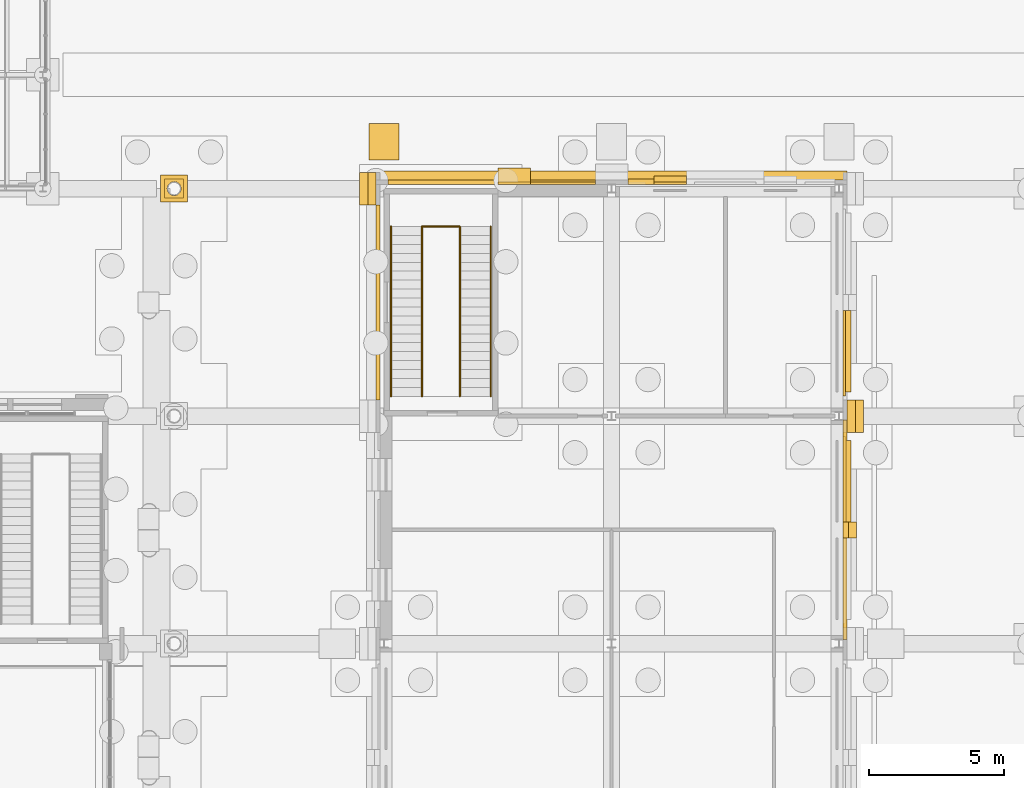
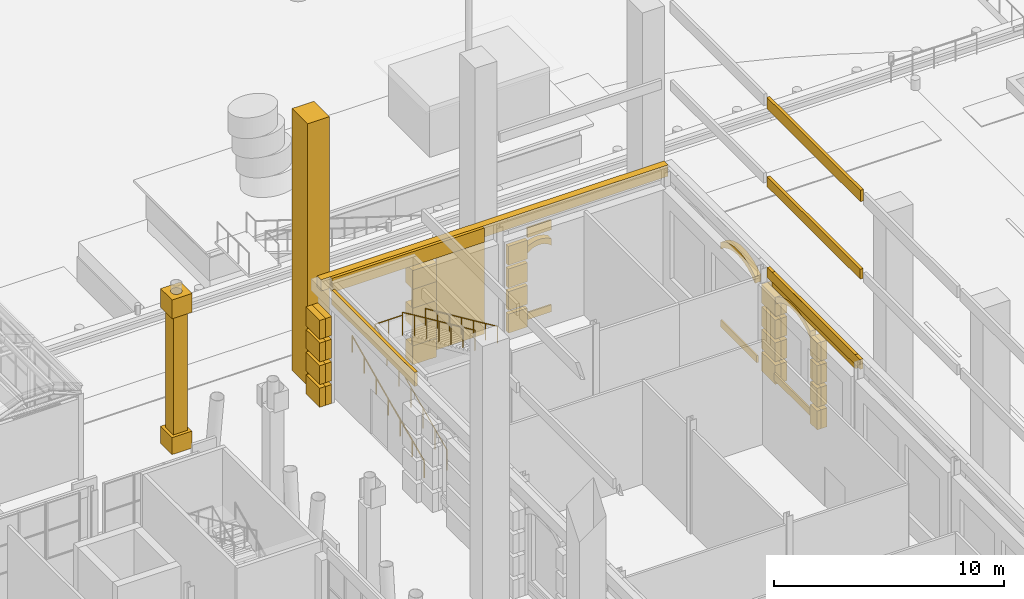
# One storey, part 155 of 222: 52 coverings, 5 railings.
"""IFC4 building model written with IfcOpenShell, lengths in metres."""

from ifc_helpers import new_model, si_unit, direction, frame, origin, origin_2d, place, context, subcontext, project, spatial, polyline, rectangle, circle, outline, extrude, material, layer, layer_set, type_object, element, save


model = new_model("IFC4")

# Units and contexts
model_context = context("Model", 3, precision=1e-05, world=origin(), true_north=direction((0.0, 1.0)))
body_context = subcontext(model_context, "Body", "Model", "MODEL_VIEW")
ifc_project = project(units=[si_unit("LENGTHUNIT", "METRE"), si_unit("AREAUNIT", "SQUARE_METRE"), si_unit("VOLUMEUNIT", "CUBIC_METRE"), si_unit("PLANEANGLEUNIT", "RADIAN"), si_unit("MASSUNIT", "GRAM", prefix="KILO")], contexts=[model_context])

# Site, building, storey
site_placement = place(None, origin())
site = spatial("IfcSite", under=ifc_project, at=site_placement, CompositionType="ELEMENT")
building_placement = place(site_placement, origin())
building = spatial("IfcBuilding", under=site, at=building_placement, Name="Sava Quay Ferry Terminal", CompositionType="ELEMENT")
storey_placement = place(building_placement, origin())
storey = spatial("IfcBuildingStorey", under=building, at=storey_placement, Name="L00", CompositionType="ELEMENT", Elevation=0.0)

# Coverings
ifc_material_1 = material(Name="Limestone Mutalj", Category="masonry")
ifc_layer_1 = layer(ifc_material_1, 0.300048828125)
ifc_layer_set_1 = layer_set([ifc_layer_1], Name="Limestone Mutalj")
covering_type_1 = type_object("IfcCoveringType", Name="Arch band 280", PredefinedType="MOLDING", material=ifc_layer_set_1)
covering_1_placement = place(storey_placement, frame((109.64990234375, 96.89990234375, 4.5), z_axis=(1.0, 0.0, 0.0), x_axis=(0.0, 0.782171011383, 0.623063808091)))
element("IfcCovering", 1, at=covering_1_placement, inside=storey, type_object=covering_type_1, Name="Arch band", PredefinedType="MOLDING", context=body_context, shape_type="SweptSolid", body=[
    extrude(outline(polyline([(0.0, 0.0), (0.38361026394291897, 0.0), (0.7217380868167081, -0.05709695615317717), (1.025335762122964, -0.1575417686500708), (1.2995752062374406, -0.29484180702510226), (1.5471556480034832, -0.4652167214188082), (1.768763237235288, -0.6685888227670815), (1.9639027838382344, -0.9051879153215514), (2.1296840992494017, -1.178642233754159), (2.260935267093035, -1.4954444085304834), (2.3465130341479634, -1.8691914242724625), (2.5760548521189226, -1.5810332074325149), (2.4650738487477915, -1.2391764648597015), (2.3190675077145073, -0.9408973828822342), (2.144615626614576, -0.6783277684654494), (1.9447605091984421, -0.4476484272178306), (1.7214796529038934, -0.24637688278489167), (1.4755724782005948, -0.07390141147585139), (1.2060486048993058, 0.06931837820603115), (0.9111214952818136, 0.18064789471874781), (0.5877488455976752, 0.2562679436707819), (0.22954181797095916, 0.2881582168399477), (0.0, 0.0)])), origin(), (0.0, 0.0, -1.0), 0.300048828125),
])
covering_2_placement = place(storey_placement, frame((109.64990234375, 101.699951171875, 4.5), z_axis=(1.0, 0.0, 0.0), x_axis=(0.0, 0.782171011383, 0.623063808091)))
element("IfcCovering", 2, at=covering_2_placement, inside=storey, type_object=covering_type_1, Name="Arch band", PredefinedType="MOLDING", context=body_context, shape_type="SweptSolid", body=[
    extrude(outline(polyline([(0.0, 0.0), (0.38361026394291897, 0.0), (0.7217380868167081, -0.05709695615317717), (1.025335762122964, -0.1575417686500708), (1.2993842465178647, -0.29468969183758004), (1.5471556480034832, -0.4652167214188082), (1.768763237235288, -0.6685888227670815), (1.9639027838382344, -0.9051879153215514), (2.1296840992494017, -1.178642233754159), (2.2607443073734594, -1.4952922933429613), (2.3465130341479634, -1.8691914242724625), (2.5760548521189226, -1.5810332074325149), (2.4648828890282157, -1.2390243496721793), (2.3190675077145073, -0.9408973828822342), (2.144615626614576, -0.6783277684654494), (1.9447605091984421, -0.4476484272178306), (1.7214796529038934, -0.24637688278489167), (1.475381518481019, -0.07374929628832916), (1.2060486048993058, 0.06931837820603115), (0.9111214952818136, 0.18064789471874781), (0.5877488455976752, 0.2562679436707819), (0.22954181797095916, 0.2881582168399477), (0.0, 0.0)])), origin(), (0.0, 0.0, -1.0), 0.300048828125),
])
covering_3_placement = place(storey_placement, frame((102.362548828125, 109.360107421875, 3.89990234375), z_axis=(0.0, -1.0, 0.0), x_axis=(0.766042844353, 0.0, 0.642789515017)))
element("IfcCovering", 3, at=covering_3_placement, inside=storey, type_object=covering_type_1, Name="Arch band", PredefinedType="MOLDING", context=body_context, shape_type="SweptSolid", body=[
    extrude(outline(polyline([(0.0, 0.0), (0.1564834757725232, 0.0), (0.29290987034562144, -0.02428279209876255), (0.4140838634817109, -0.06636278232810475), (0.522890396081421, -0.12356147789515273), (0.6202108720586751, -0.19406883930165053), (0.706733197838947, -0.2778246842578833), (0.781769466996763, -0.374889195053566), (0.8444382756181996, -0.4870724111869544), (0.8918546828026273, -0.6170528254509224), (0.9192140087876302, -0.771316031813653), (1.14849024937354, -0.4980766285911245), (1.098846716569099, -0.3703705716175788), (1.0380911714997962, -0.2562870425513622), (0.9674188801474346, -0.15364195753662468), (0.8881454730732465, -0.0616270455684631), (0.8002107679875174, 0.020445599778596002), (0.7043026713157206, 0.09263616079426751), (0.5997332766323826, 0.15488445518883656), (0.48656276622721817, 0.20650257653682963), (0.3634755095389949, 0.24668225383334366), (0.2292762405859099, 0.27323940322252854), (0.0, 0.0)])), origin(), (0.0, 0.0, -1.0), 0.300048828125),
])
ifc_material_2 = material(Name="Limestone Mutalj", Category="masonry")
ifc_layer_2 = layer(ifc_material_2, 0.35009765625)
ifc_layer_set_2 = layer_set([ifc_layer_2], Name="Limestone Mutalj")
covering_type_2 = type_object("IfcCoveringType", Name="Base course 600", PredefinedType="MOLDING", material=ifc_layer_set_2)
covering_4_placement = place(storey_placement, frame((100.800048828125, 109.68505859375, 5.39990234375), z_axis=(0.0, 0.0, 1.0), x_axis=(1.0, 0.0, 0.0)))
element("IfcCovering", 4, at=covering_4_placement, inside=storey, type_object=covering_type_2, Name="Base course O N", PredefinedType="MOLDING", context=body_context, shape_type="SweptSolid", body=[
    extrude(rectangle(XDim=17.39990234375, YDim=0.35009765625, at=origin_2d()), origin(), (0.0, 0.0, 1.0), 0.60009765625),
])
ifc_material_3 = material(Name="Limestone Mutalj", Category="masonry")
ifc_layer_3 = layer(ifc_material_3, 0.60009765625)
ifc_layer_set_3 = layer_set([ifc_layer_3], Name="Limestone Mutalj")
covering_type_3 = type_object("IfcCoveringType", Name="Corner quoin block 1200", PredefinedType="CLADDING", material=ifc_layer_set_3)
for number, where, z_axis, x_axis, name in (
    (5, (97.199951171875, 109.659912109375, 0.0), (0.0, 0.0, 1.0), (1.0, 0.0, 0.0), "Corner quoin block"),
    (6, (97.199951171875, 109.659912109375, 2.0), (0.0, 0.0, 1.0), (1.0, 0.0, 0.0), "Corner quoin block"),
    (7, (97.199951171875, 109.659912109375, 4.0), (0.0, 0.0, 1.0), (1.0, 0.0, 0.0), "Corner quoin block"),
):
    element("IfcCovering", number, at=place(storey_placement, frame(where, z_axis=z_axis, x_axis=x_axis)), inside=storey, type_object=covering_type_3, Name=name, PredefinedType="CLADDING", context=body_context, shape_type="SweptSolid", body=[
        extrude(rectangle(XDim=1.199951171875, YDim=0.60009765625, at=origin_2d()), origin(), (0.0, 0.0, 1.0), 1.0),
    ])

# Railings
ifc_material_4 = material(Name="Steel S355", Category="steel")
railing_type_1 = type_object("IfcRailingType", Name="Guard 1100", PredefinedType="GUARDRAIL", material=ifc_material_4)
railing_1_placement = place(storey_placement, frame((93.800048828125, 101.530029296875, 0.14990234375)))
element("IfcRailing", 8, at=railing_1_placement, inside=storey, type_object=railing_type_1, Name="Guard at stair well ST-O3 L00", PredefinedType="GUARDRAIL", context=body_context, shape_type="SweptSolid", body=[
    extrude(circle(Radius=0.02392578125, at=origin_2d()), frame((0.0, 0.0, 1.076171875), z_axis=(0.0, 0.910361621584, 0.413813627068), x_axis=(-1.0, 0.0, 0.0)), (0.0, 0.0, 1.0), 6.887451171875),
    extrude(circle(Radius=0.02099609375, at=origin_2d()), origin(), (0.0, 0.0, 1.0), 1.052001953125),
    extrude(circle(Radius=0.02099609375, at=origin_2d()), frame((0.0, 1.044921875, 0.47509765625)), (0.0, 0.0, 1.0), 1.052001953125),
    extrude(circle(Radius=0.02099609375, at=origin_2d()), frame((0.0, 2.090087890625, 0.949951171875)), (0.0, 0.0, 1.0), 1.052001953125),
    extrude(circle(Radius=0.02099609375, at=origin_2d()), frame((0.0, 3.135009765625, 1.425048828125)), (0.0, 0.0, 1.0), 1.052001953125),
    extrude(circle(Radius=0.02099609375, at=origin_2d()), frame((0.0, 4.179931640625, 1.900146484375)), (0.0, 0.0, 1.0), 1.052001953125),
    extrude(circle(Radius=0.02099609375, at=origin_2d()), frame((0.0, 5.22509765625, 2.375)), (0.0, 0.0, 1.0), 1.052001953125),
    extrude(circle(Radius=0.02099609375, at=origin_2d()), frame((0.0, 6.27001953125, 2.85009765625)), (0.0, 0.0, 1.0), 1.052001953125),
])
railing_2_placement = place(storey_placement, frame((95.199951171875, 107.800048828125, 3.14990234375)))
element("IfcRailing", 9, at=railing_2_placement, inside=storey, type_object=railing_type_1, Name="Guard at stair well ST-O3 L00", PredefinedType="GUARDRAIL", context=body_context, shape_type="SweptSolid", body=[
    extrude(circle(Radius=0.02392578125, at=origin_2d()), frame((0.0, 0.0, 1.076171875), z_axis=(0.0, -0.910361621584, 0.413813627068), x_axis=(1.0, 0.0, 0.0)), (0.0, 0.0, 1.0), 6.887451171875),
    extrude(circle(Radius=0.02099609375, at=origin_2d()), origin(), (0.0, 0.0, 1.0), 1.052001953125),
    extrude(circle(Radius=0.02099609375, at=origin_2d()), frame((0.0, -1.044921875, 0.47509765625)), (0.0, 0.0, 1.0), 1.052001953125),
    extrude(circle(Radius=0.02099609375, at=origin_2d()), frame((0.0, -2.090087890625, 0.949951171875)), (0.0, 0.0, 1.0), 1.052001953125),
    extrude(circle(Radius=0.02099609375, at=origin_2d()), frame((0.0, -3.135009765625, 1.425048828125)), (0.0, 0.0, 1.0), 1.052001953125),
    extrude(circle(Radius=0.02099609375, at=origin_2d()), frame((0.0, -4.179931640625, 1.900146484375)), (0.0, 0.0, 1.0), 1.052001953125),
    extrude(circle(Radius=0.02099609375, at=origin_2d()), frame((0.0, -5.22509765625, 2.375)), (0.0, 0.0, 1.0), 1.052001953125),
    extrude(circle(Radius=0.02099609375, at=origin_2d()), frame((0.0, -6.27001953125, 2.85009765625)), (0.0, 0.0, 1.0), 1.052001953125),
])
railing_3_placement = place(storey_placement, frame((93.800048828125, 107.800048828125, 3.0)))
element("IfcRailing", 10, at=railing_3_placement, inside=storey, type_object=railing_type_1, Name="Guard at half landing ST-O3 L00", PredefinedType="GUARDRAIL", context=body_context, shape_type="SweptSolid", body=[
    extrude(circle(Radius=0.02392578125, at=origin_2d()), frame((0.0, 0.0, 1.076171875), z_axis=(1.0, 0.0, 0.0), x_axis=(0.0, 1.0, 0.0)), (0.0, 0.0, 1.0), 1.39990234375),
    extrude(circle(Radius=0.02099609375, at=origin_2d()), origin(), (0.0, 0.0, 1.0), 1.052001953125),
    extrude(circle(Radius=0.02099609375, at=origin_2d()), frame((0.699951171875, 0.0, 0.0)), (0.0, 0.0, 1.0), 1.052001953125),
    extrude(circle(Radius=0.02099609375, at=origin_2d()), frame((1.39990234375, 0.0, 0.0)), (0.0, 0.0, 1.0), 1.052001953125),
])

# Coverings
ifc_material_5 = material(Name="Limestone Mutalj", Category="masonry")
ifc_layer_4 = layer(ifc_material_5, 0.080078125)
ifc_layer_set_4 = layer_set([ifc_layer_4], Name="Limestone Mutalj")
covering_type_4 = type_object("IfcCoveringType", Name="Light stone cladding 80", PredefinedType="CLADDING", material=ifc_layer_set_4)
for number, where, z_axis, x_axis, name in (
    (11, (109.389892578125, 98.47509765625, 0.3798828125), (0.0, 0.0, 1.0), (1.0, 0.0, 0.0), "Light stone cladding"),
    (12, (109.389892578125, 103.125, 0.3798828125), (0.0, 0.0, 1.0), (1.0, 0.0, 0.0), "Light stone cladding"),
):
    element("IfcCovering", number, at=place(storey_placement, frame(where, z_axis=z_axis, x_axis=x_axis)), inside=storey, type_object=covering_type_4, Name=name, PredefinedType="CLADDING", context=body_context, shape_type="SweptSolid", body=[
        extrude(rectangle(XDim=0.080078125, YDim=3.14990234375, at=origin_2d()), origin(), (0.0, 0.0, 1.0), 0.3701171875),
    ])
for number, where, z_axis, x_axis, name in (
    (13, (97.199951171875, 109.39990234375, 1.0), (0.0, 0.0, 1.0), (1.0, 0.0, 0.0), "Light stone cladding"),
    (14, (97.199951171875, 109.39990234375, 3.0), (0.0, 0.0, 1.0), (1.0, 0.0, 0.0), "Light stone cladding"),
):
    element("IfcCovering", number, at=place(storey_placement, frame(where, z_axis=z_axis, x_axis=x_axis)), inside=storey, type_object=covering_type_4, Name=name, PredefinedType="CLADDING", context=body_context, shape_type="SweptSolid", body=[
        extrude(rectangle(XDim=1.199951171875, YDim=0.080078125, at=origin_2d()), origin(), (0.0, 0.0, 1.0), 1.0),
    ])
covering_5_placement = place(storey_placement, frame((99.0, 109.39990234375, 0.3798828125), z_axis=(0.0, 0.0, 1.0), x_axis=(1.0, 0.0, 0.0)))
element("IfcCovering", 15, at=covering_5_placement, inside=storey, type_object=covering_type_4, Name="Light stone cladding", PredefinedType="CLADDING", context=body_context, shape_type="SweptSolid", body=[
    extrude(rectangle(XDim=2.39990234375, YDim=0.080078125, at=origin_2d()), origin(), (0.0, 0.0, 1.0), 4.8701171875),
])
covering_6_placement = place(storey_placement, frame((102.96240234375, 109.39990234375, 0.3798828125), z_axis=(0.0, 0.0, 1.0), x_axis=(1.0, 0.0, 0.0)))
element("IfcCovering", 16, at=covering_6_placement, inside=storey, type_object=covering_type_4, Name="Light stone cladding", PredefinedType="CLADDING", context=body_context, shape_type="SweptSolid", body=[
    extrude(rectangle(XDim=1.199951171875, YDim=0.080078125, at=origin_2d()), origin(), (0.0, 0.0, 1.0), 0.3701171875),
])
covering_7_placement = place(storey_placement, frame((102.96240234375, 109.39990234375, 4.72998046875), z_axis=(0.0, 0.0, 1.0), x_axis=(1.0, 0.0, 0.0)))
element("IfcCovering", 17, at=covering_7_placement, inside=storey, type_object=covering_type_4, Name="Light stone cladding", PredefinedType="CLADDING", context=body_context, shape_type="SweptSolid", body=[
    extrude(rectangle(XDim=1.199951171875, YDim=0.080078125, at=origin_2d()), origin(), (0.0, 0.0, 1.0), 0.52001953125),
])
ifc_material_6 = material(Name="Limestone Mutalj", Category="masonry")
ifc_layer_5 = layer(ifc_material_6, 0.14990234375)
ifc_layer_set_5 = layer_set([ifc_layer_5], Name="Limestone Mutalj")
covering_type_5 = type_object("IfcCoveringType", Name="Limestone string course 150", PredefinedType="CLADDING", material=ifc_layer_set_5)
covering_8_placement = place(storey_placement, frame((0.0, 0.0, 5.25)))
element("IfcCovering", 18, at=covering_8_placement, inside=storey, type_object=covering_type_5, Name="String course O-W", PredefinedType="CLADDING", context=body_context, shape_type="SweptSolid", body=[
    extrude(outline(polyline([(92.25, 101.39990234375), (92.25, 108.60009765625), (92.10009765625, 108.60009765625), (92.10009765625, 101.39990234375), (92.25, 101.39990234375)])), origin(), (0.0, 0.0, 1.0), 0.75),
])
covering_9_placement = place(storey_placement, frame((0.0, 0.0, 5.25)))
element("IfcCovering", 19, at=covering_9_placement, inside=storey, type_object=covering_type_5, Name="String course O-N", PredefinedType="CLADDING", context=body_context, shape_type="SweptSolid", body=[
    extrude(outline(polyline([(92.550048828125, 109.360107421875), (100.199951171875, 109.360107421875), (100.199951171875, 109.510009765625), (92.550048828125, 109.510009765625), (92.550048828125, 109.360107421875)])), origin(), (0.0, 0.0, 1.0), 0.75),
])
covering_10_placement = place(storey_placement, frame((0.0, 0.0, 5.25)))
element("IfcCovering", 20, at=covering_10_placement, inside=storey, type_object=covering_type_5, Name="String course O-E", PredefinedType="CLADDING", context=body_context, shape_type="SweptSolid", body=[
    extrude(outline(polyline([(109.35009765625, 93.0), (109.35009765625, 100.199951171875), (109.5, 100.199951171875), (109.5, 93.0), (109.35009765625, 93.0)])), origin(), (0.0, 0.0, 1.0), 0.75),
])
ifc_material_7 = material(Name="Limestone Mutalj", Category="masonry")
ifc_layer_6 = layer(ifc_material_7, 1.35009765625)
ifc_layer_set_6 = layer_set([ifc_layer_6], Name="Limestone Mutalj")
covering_type_6 = type_object("IfcCoveringType", Name="Portico pier 1100", PredefinedType="CLADDING", material=ifc_layer_set_6)
covering_11_placement = place(storey_placement, frame((92.39990234375, 110.93505859375, 0.0), z_axis=(0.0, 0.0, 1.0), x_axis=(1.0, 0.0, 0.0)))
element("IfcCovering", 21, at=covering_11_placement, inside=storey, type_object=covering_type_6, Name="Portico pier", PredefinedType="CLADDING", context=body_context, shape_type="SweptSolid", body=[
    extrude(rectangle(XDim=1.10009765625, YDim=1.35009765625, at=origin_2d()), origin(), (0.0, 0.0, 1.0), 13.89990234375),
])
ifc_material_8 = material(Name="Limestone Mutalj", Category="masonry")
ifc_layer_7 = layer(ifc_material_8, 1.0)
ifc_layer_set_7 = layer_set([ifc_layer_7], Name="Limestone Mutalj")
covering_type_7 = type_object("IfcCoveringType", Name="Post pier capital 1000", PredefinedType="MOLDING", material=ifc_layer_set_7)
covering_12_placement = place(storey_placement, frame((0.0, 0.0, 7.199951171875)))
element("IfcCovering", 22, at=covering_12_placement, inside=storey, type_object=covering_type_7, Name="Post pier capital", PredefinedType="MOLDING", context=body_context, shape_type="SweptSolid", body=[
    extrude(outline(polyline([(84.14990234375, 108.699951171875), (85.14990234375, 108.699951171875), (85.14990234375, 109.699951171875), (84.14990234375, 109.699951171875), (84.14990234375, 108.699951171875)]), holes=[polyline([(84.89990234375, 109.25), (84.905029296875, 109.199951171875), (84.89990234375, 109.14990234375), (84.885986328125, 109.10205078125), (84.862060546875, 109.05810546875), (84.830078125, 109.02001953125), (84.7919921875, 108.988037109375), (84.748046875, 108.964111328125), (84.699951171875, 108.949951171875), (84.64990234375, 108.945068359375), (84.60009765625, 108.949951171875), (84.552001953125, 108.964111328125), (84.508056640625, 108.988037109375), (84.469970703125, 109.02001953125), (84.43798828125, 109.05810546875), (84.4140625, 109.10205078125), (84.39990234375, 109.14990234375), (84.39501953125, 109.199951171875), (84.39990234375, 109.25), (84.4140625, 109.298095703125), (84.43798828125, 109.342041015625), (84.469970703125, 109.3798828125), (84.508056640625, 109.412109375), (84.552001953125, 109.43603515625), (84.60009765625, 109.449951171875), (84.64990234375, 109.455078125), (84.699951171875, 109.449951171875), (84.748046875, 109.43603515625), (84.7919921875, 109.412109375), (84.830078125, 109.3798828125), (84.862060546875, 109.342041015625), (84.885986328125, 109.298095703125), (84.89990234375, 109.25)])]), origin(), (0.0, 0.0, 1.0), 1.0),
])
ifc_material_9 = material(Name="Limestone Mutalj", Category="masonry")
ifc_layer_8 = layer(ifc_material_9, 1.0)
ifc_layer_set_8 = layer_set([ifc_layer_8], Name="Limestone Mutalj")
covering_type_8 = type_object("IfcCoveringType", Name="Post pier plinth 1000", PredefinedType="MOLDING", material=ifc_layer_set_8)
covering_13_placement = place(storey_placement, origin())
element("IfcCovering", 23, at=covering_13_placement, inside=storey, type_object=covering_type_8, Name="Post pier plinth", PredefinedType="MOLDING", context=body_context, shape_type="SweptSolid", body=[
    extrude(outline(polyline([(84.14990234375, 108.699951171875), (85.14990234375, 108.699951171875), (85.14990234375, 109.699951171875), (84.14990234375, 109.699951171875), (84.14990234375, 108.699951171875)]), holes=[polyline([(84.89990234375, 109.25), (84.905029296875, 109.199951171875), (84.89990234375, 109.14990234375), (84.885986328125, 109.10205078125), (84.862060546875, 109.05810546875), (84.830078125, 109.02001953125), (84.7919921875, 108.988037109375), (84.748046875, 108.964111328125), (84.699951171875, 108.949951171875), (84.64990234375, 108.945068359375), (84.60009765625, 108.949951171875), (84.552001953125, 108.964111328125), (84.508056640625, 108.988037109375), (84.469970703125, 109.02001953125), (84.43798828125, 109.05810546875), (84.4140625, 109.10205078125), (84.39990234375, 109.14990234375), (84.39501953125, 109.199951171875), (84.39990234375, 109.25), (84.4140625, 109.298095703125), (84.43798828125, 109.342041015625), (84.469970703125, 109.3798828125), (84.508056640625, 109.412109375), (84.552001953125, 109.43603515625), (84.60009765625, 109.449951171875), (84.64990234375, 109.455078125), (84.699951171875, 109.449951171875), (84.748046875, 109.43603515625), (84.7919921875, 109.412109375), (84.830078125, 109.3798828125), (84.862060546875, 109.342041015625), (84.885986328125, 109.298095703125), (84.89990234375, 109.25)])]), origin(), (0.0, 0.0, 1.0), 0.89990234375),
])
ifc_material_10 = material(Name="Limestone Mutalj", Category="masonry")
ifc_layer_9 = layer(ifc_material_10, 0.699951171875)
ifc_layer_set_9 = layer_set([ifc_layer_9], Name="Limestone Mutalj")
covering_type_9 = type_object("IfcCoveringType", Name="Post pier shaft 700", PredefinedType="CLADDING", material=ifc_layer_set_9)
covering_14_placement = place(storey_placement, frame((0.0, 0.0, 0.89990234375)))
element("IfcCovering", 24, at=covering_14_placement, inside=storey, type_object=covering_type_9, Name="Post pier shaft", PredefinedType="CLADDING", context=body_context, shape_type="SweptSolid", body=[
    extrude(outline(polyline([(84.300048828125, 108.85009765625), (85.0, 108.85009765625), (85.0, 109.550048828125), (84.300048828125, 109.550048828125), (84.300048828125, 108.85009765625)]), holes=[polyline([(84.89990234375, 109.25), (84.905029296875, 109.199951171875), (84.89990234375, 109.14990234375), (84.885986328125, 109.10205078125), (84.862060546875, 109.05810546875), (84.830078125, 109.02001953125), (84.7919921875, 108.988037109375), (84.748046875, 108.964111328125), (84.699951171875, 108.949951171875), (84.64990234375, 108.945068359375), (84.60009765625, 108.949951171875), (84.552001953125, 108.964111328125), (84.508056640625, 108.988037109375), (84.469970703125, 109.02001953125), (84.43798828125, 109.05810546875), (84.4140625, 109.10205078125), (84.39990234375, 109.14990234375), (84.39501953125, 109.199951171875), (84.39990234375, 109.25), (84.4140625, 109.298095703125), (84.43798828125, 109.342041015625), (84.469970703125, 109.3798828125), (84.508056640625, 109.412109375), (84.552001953125, 109.43603515625), (84.60009765625, 109.449951171875), (84.64990234375, 109.455078125), (84.699951171875, 109.449951171875), (84.748046875, 109.43603515625), (84.7919921875, 109.412109375), (84.830078125, 109.3798828125), (84.862060546875, 109.342041015625), (84.885986328125, 109.298095703125), (84.89990234375, 109.25)])]), origin(), (0.0, 0.0, 1.0), 6.300048828125),
])
ifc_material_11 = material(Name="Limestone Mutalj", Category="masonry")
ifc_layer_10 = layer(ifc_material_11, 0.300048828125)
ifc_layer_set_10 = layer_set([ifc_layer_10], Name="Limestone Mutalj")
covering_type_10 = type_object("IfcCoveringType", Name="Rusticated course deepening 300", PredefinedType="CLADDING", material=ifc_layer_set_10)
for number, where, z_axis, x_axis, name in (
    (25, (109.949951171875, 100.800048828125, 0.0), (0.0, 0.0, 1.0), (1.0, 0.0, 0.0), "Rusticated course deepening"),
    (26, (109.949951171875, 100.800048828125, 1.199951171875), (0.0, 0.0, 1.0), (1.0, 0.0, 0.0), "Rusticated course deepening"),
    (27, (109.949951171875, 100.800048828125, 2.39990234375), (0.0, 0.0, 1.0), (1.0, 0.0, 0.0), "Rusticated course deepening"),
    (28, (109.949951171875, 100.800048828125, 3.60009765625), (0.0, 0.0, 1.0), (1.0, 0.0, 0.0), "Rusticated course deepening"),
    (29, (91.64990234375, 109.199951171875, 0.0), (0.0, 0.0, 1.0), (1.0, 0.0, 0.0), "Rusticated course deepening"),
    (30, (91.64990234375, 109.199951171875, 1.199951171875), (0.0, 0.0, 1.0), (1.0, 0.0, 0.0), "Rusticated course deepening"),
    (31, (91.64990234375, 109.199951171875, 2.39990234375), (0.0, 0.0, 1.0), (1.0, 0.0, 0.0), "Rusticated course deepening"),
    (32, (91.64990234375, 109.199951171875, 3.60009765625), (0.0, 0.0, 1.0), (1.0, 0.0, 0.0), "Rusticated course deepening"),
):
    element("IfcCovering", number, at=place(storey_placement, frame(where, z_axis=z_axis, x_axis=x_axis)), inside=storey, type_object=covering_type_10, Name=name, PredefinedType="CLADDING", context=body_context, shape_type="SweptSolid", body=[
        extrude(rectangle(XDim=0.300048828125, YDim=1.199951171875, at=origin_2d()), origin(), (0.0, 0.0, 1.0), 1.0),
    ])
for number, where, z_axis, x_axis, name in (
    (33, (109.699951171875, 96.60009765625, 0.0), (0.0, 0.0, 1.0), (1.0, 0.0, 0.0), "Rusticated course deepening"),
    (34, (109.699951171875, 96.60009765625, 1.199951171875), (0.0, 0.0, 1.0), (1.0, 0.0, 0.0), "Rusticated course deepening"),
    (35, (109.699951171875, 96.60009765625, 2.39990234375), (0.0, 0.0, 1.0), (1.0, 0.0, 0.0), "Rusticated course deepening"),
    (36, (109.699951171875, 96.60009765625, 3.60009765625), (0.0, 0.0, 1.0), (1.0, 0.0, 0.0), "Rusticated course deepening"),
):
    element("IfcCovering", number, at=place(storey_placement, frame(where, z_axis=z_axis, x_axis=x_axis)), inside=storey, type_object=covering_type_10, Name=name, PredefinedType="CLADDING", context=body_context, shape_type="SweptSolid", body=[
        extrude(rectangle(XDim=0.300048828125, YDim=0.60009765625, at=origin_2d()), origin(), (0.0, 0.0, 1.0), 1.0),
    ])
ifc_material_12 = material(Name="Limestone Mutalj", Category="masonry")
ifc_layer_11 = layer(ifc_material_12, 0.300048828125)
ifc_layer_set_11 = layer_set([ifc_layer_11], Name="Limestone Mutalj")
covering_type_11 = type_object("IfcCoveringType", Name="Rusticated pier course 300", PredefinedType="CLADDING", material=ifc_layer_set_11)
for number, where, z_axis, x_axis, name in (
    (37, (109.64990234375, 100.800048828125, 0.0), (0.0, 0.0, 1.0), (1.0, 0.0, 0.0), "Rusticated pier course"),
    (38, (109.64990234375, 100.800048828125, 1.199951171875), (0.0, 0.0, 1.0), (1.0, 0.0, 0.0), "Rusticated pier course"),
    (39, (109.64990234375, 100.800048828125, 2.39990234375), (0.0, 0.0, 1.0), (1.0, 0.0, 0.0), "Rusticated pier course"),
    (40, (109.64990234375, 100.800048828125, 3.60009765625), (0.0, 0.0, 1.0), (1.0, 0.0, 0.0), "Rusticated pier course"),
    (41, (91.949951171875, 109.199951171875, 0.0), (0.0, 0.0, 1.0), (1.0, 0.0, 0.0), "Rusticated pier course"),
    (42, (91.949951171875, 109.199951171875, 1.199951171875), (0.0, 0.0, 1.0), (1.0, 0.0, 0.0), "Rusticated pier course"),
    (43, (91.949951171875, 109.199951171875, 2.39990234375), (0.0, 0.0, 1.0), (1.0, 0.0, 0.0), "Rusticated pier course"),
    (44, (91.949951171875, 109.199951171875, 3.60009765625), (0.0, 0.0, 1.0), (1.0, 0.0, 0.0), "Rusticated pier course"),
):
    element("IfcCovering", number, at=place(storey_placement, frame(where, z_axis=z_axis, x_axis=x_axis)), inside=storey, type_object=covering_type_11, Name=name, PredefinedType="CLADDING", context=body_context, shape_type="SweptSolid", body=[
        extrude(rectangle(XDim=0.300048828125, YDim=1.199951171875, at=origin_2d()), origin(), (0.0, 0.0, 1.0), 1.0),
    ])
ifc_material_13 = material(Name="Limestone Mutalj", Category="masonry")
ifc_layer_12 = layer(ifc_material_13, 0.199951171875)
ifc_layer_set_12 = layer_set([ifc_layer_12], Name="Limestone Mutalj")
covering_type_12 = type_object("IfcCoveringType", Name="Rusticated wall course 200", PredefinedType="CLADDING", material=ifc_layer_set_12)
for number, where, z_axis, x_axis, name in (
    (45, (109.449951171875, 96.60009765625, 0.0), (0.0, 0.0, 1.0), (1.0, 0.0, 0.0), "Rusticated wall course"),
    (46, (109.449951171875, 96.60009765625, 1.199951171875), (0.0, 0.0, 1.0), (1.0, 0.0, 0.0), "Rusticated wall course"),
    (47, (109.449951171875, 96.60009765625, 2.39990234375), (0.0, 0.0, 1.0), (1.0, 0.0, 0.0), "Rusticated wall course"),
    (48, (109.449951171875, 96.60009765625, 3.60009765625), (0.0, 0.0, 1.0), (1.0, 0.0, 0.0), "Rusticated wall course"),
):
    element("IfcCovering", number, at=place(storey_placement, frame(where, z_axis=z_axis, x_axis=x_axis)), inside=storey, type_object=covering_type_12, Name=name, PredefinedType="CLADDING", context=body_context, shape_type="SweptSolid", body=[
        extrude(rectangle(XDim=0.199951171875, YDim=0.60009765625, at=origin_2d()), origin(), (0.0, 0.0, 1.0), 1.0),
    ])
for number, where, z_axis, x_axis, name in (
    (49, (101.881103515625, 109.4599609375, 0.0), (0.0, 0.0, 1.0), (1.0, 0.0, 0.0), "Rusticated wall course"),
    (50, (101.881103515625, 109.4599609375, 1.199951171875), (0.0, 0.0, 1.0), (1.0, 0.0, 0.0), "Rusticated wall course"),
    (51, (101.881103515625, 109.4599609375, 2.39990234375), (0.0, 0.0, 1.0), (1.0, 0.0, 0.0), "Rusticated wall course"),
    (52, (101.881103515625, 109.4599609375, 3.60009765625), (0.0, 0.0, 1.0), (1.0, 0.0, 0.0), "Rusticated wall course"),
):
    element("IfcCovering", number, at=place(storey_placement, frame(where, z_axis=z_axis, x_axis=x_axis)), inside=storey, type_object=covering_type_12, Name=name, PredefinedType="CLADDING", context=body_context, shape_type="SweptSolid", body=[
        extrude(rectangle(XDim=0.96240234375, YDim=0.199951171875, at=origin_2d()), origin(), (0.0, 0.0, 1.0), 1.0),
    ])
ifc_material_14 = material(Name="Limestone Mutalj", Category="masonry")
ifc_layer_13 = layer(ifc_material_14, 0.14990234375)
ifc_layer_set_13 = layer_set([ifc_layer_13], Name="Limestone Mutalj")
covering_type_13 = type_object("IfcCoveringType", Name="Slab edge fascia 150", PredefinedType="CLADDING", material=ifc_layer_set_13)
covering_15_placement = place(storey_placement, frame((0.0, 0.0, 5.47998046875)))
element("IfcCovering", 53, at=covering_15_placement, inside=storey, type_object=covering_type_13, Name="Slab edge fascia", PredefinedType="CLADDING", context=body_context, shape_type="SweptSolid", body=[
    extrude(outline(polyline([(109.347900390625, 100.639892578125), (109.347900390625, 92.56005859375), (109.498046875, 92.56005859375), (109.498046875, 100.639892578125), (109.347900390625, 100.639892578125)])), origin(), (0.0, 0.0, 1.0), 0.52001953125),
])
covering_16_placement = place(storey_placement, frame((0.0, 0.0, 10.280029296875)))
element("IfcCovering", 54, at=covering_16_placement, inside=storey, type_object=covering_type_13, Name="Slab edge fascia", PredefinedType="CLADDING", context=body_context, shape_type="SweptSolid", body=[
    extrude(outline(polyline([(109.347900390625, 100.64990234375), (109.347900390625, 92.550048828125), (109.498046875, 92.550048828125), (109.498046875, 100.64990234375), (109.347900390625, 100.64990234375)])), origin(), (0.0, 0.0, 1.0), 0.52001953125),
])
covering_17_placement = place(storey_placement, frame((0.0, 0.0, 14.393310546875)))
element("IfcCovering", 55, at=covering_17_placement, inside=storey, type_object=covering_type_13, Name="Slab edge fascia", PredefinedType="CLADDING", context=body_context, shape_type="SweptSolid", body=[
    extrude(outline(polyline([(109.347900390625, 100.669921875), (109.347900390625, 92.530029296875), (109.498046875, 92.530029296875), (109.498046875, 100.669921875), (109.347900390625, 100.669921875)])), origin(), (0.0, 0.0, 1.0), 0.606689453125),
])

# Railings
ifc_material_15 = material(Name="Steel S355", Category="steel")
railing_type_2 = type_object("IfcRailingType", Name="Stair handrail 900", PredefinedType="HANDRAIL", material=ifc_material_15)
railing_4_placement = place(storey_placement, frame((92.659912109375, 101.530029296875, 0.14990234375)))
element("IfcRailing", 56, at=railing_4_placement, inside=storey, type_object=railing_type_2, Name="Handrail ST-O3 L00", PredefinedType="HANDRAIL", context=body_context, shape_type="SweptSolid", body=[
    extrude(circle(Radius=0.02392578125, at=origin_2d()), frame((0.0, 0.0, 0.8759765625), z_axis=(0.0, 0.910361621584, 0.413813627068), x_axis=(-1.0, 0.0, 0.0)), (0.0, 0.0, 1.0), 6.887451171875),
    extrude(circle(Radius=0.02099609375, at=origin_2d()), origin(), (0.0, 0.0, 1.0), 0.851806640625),
    extrude(circle(Radius=0.02099609375, at=origin_2d()), frame((0.0, 1.044921875, 0.47509765625)), (0.0, 0.0, 1.0), 0.851806640625),
    extrude(circle(Radius=0.02099609375, at=origin_2d()), frame((0.0, 2.090087890625, 0.949951171875)), (0.0, 0.0, 1.0), 0.851806640625),
    extrude(circle(Radius=0.02099609375, at=origin_2d()), frame((0.0, 3.135009765625, 1.425048828125)), (0.0, 0.0, 1.0), 0.851806640625),
    extrude(circle(Radius=0.02099609375, at=origin_2d()), frame((0.0, 4.179931640625, 1.900146484375)), (0.0, 0.0, 1.0), 0.851806640625),
    extrude(circle(Radius=0.02099609375, at=origin_2d()), frame((0.0, 5.22509765625, 2.375)), (0.0, 0.0, 1.0), 0.851806640625),
    extrude(circle(Radius=0.02099609375, at=origin_2d()), frame((0.0, 6.27001953125, 2.85009765625)), (0.0, 0.0, 1.0), 0.851806640625),
])
railing_5_placement = place(storey_placement, frame((96.340087890625, 107.800048828125, 3.14990234375)))
element("IfcRailing", 57, at=railing_5_placement, inside=storey, type_object=railing_type_2, Name="Handrail ST-O3 L00", PredefinedType="HANDRAIL", context=body_context, shape_type="SweptSolid", body=[
    extrude(circle(Radius=0.02392578125, at=origin_2d()), frame((0.0, 0.0, 0.8759765625), z_axis=(0.0, -0.910361621584, 0.413813627068), x_axis=(1.0, 0.0, 0.0)), (0.0, 0.0, 1.0), 6.887451171875),
    extrude(circle(Radius=0.02099609375, at=origin_2d()), origin(), (0.0, 0.0, 1.0), 0.851806640625),
    extrude(circle(Radius=0.02099609375, at=origin_2d()), frame((0.0, -1.044921875, 0.47509765625)), (0.0, 0.0, 1.0), 0.851806640625),
    extrude(circle(Radius=0.02099609375, at=origin_2d()), frame((0.0, -2.090087890625, 0.949951171875)), (0.0, 0.0, 1.0), 0.851806640625),
    extrude(circle(Radius=0.02099609375, at=origin_2d()), frame((0.0, -3.135009765625, 1.425048828125)), (0.0, 0.0, 1.0), 0.851806640625),
    extrude(circle(Radius=0.02099609375, at=origin_2d()), frame((0.0, -4.179931640625, 1.900146484375)), (0.0, 0.0, 1.0), 0.851806640625),
    extrude(circle(Radius=0.02099609375, at=origin_2d()), frame((0.0, -5.22509765625, 2.375)), (0.0, 0.0, 1.0), 0.851806640625),
    extrude(circle(Radius=0.02099609375, at=origin_2d()), frame((0.0, -6.27001953125, 2.85009765625)), (0.0, 0.0, 1.0), 0.851806640625),
])

save(model, "model.ifc")
